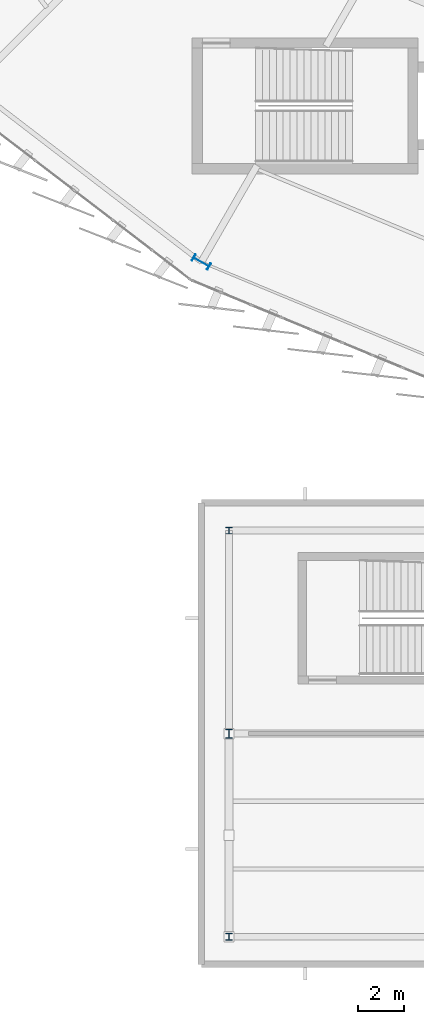
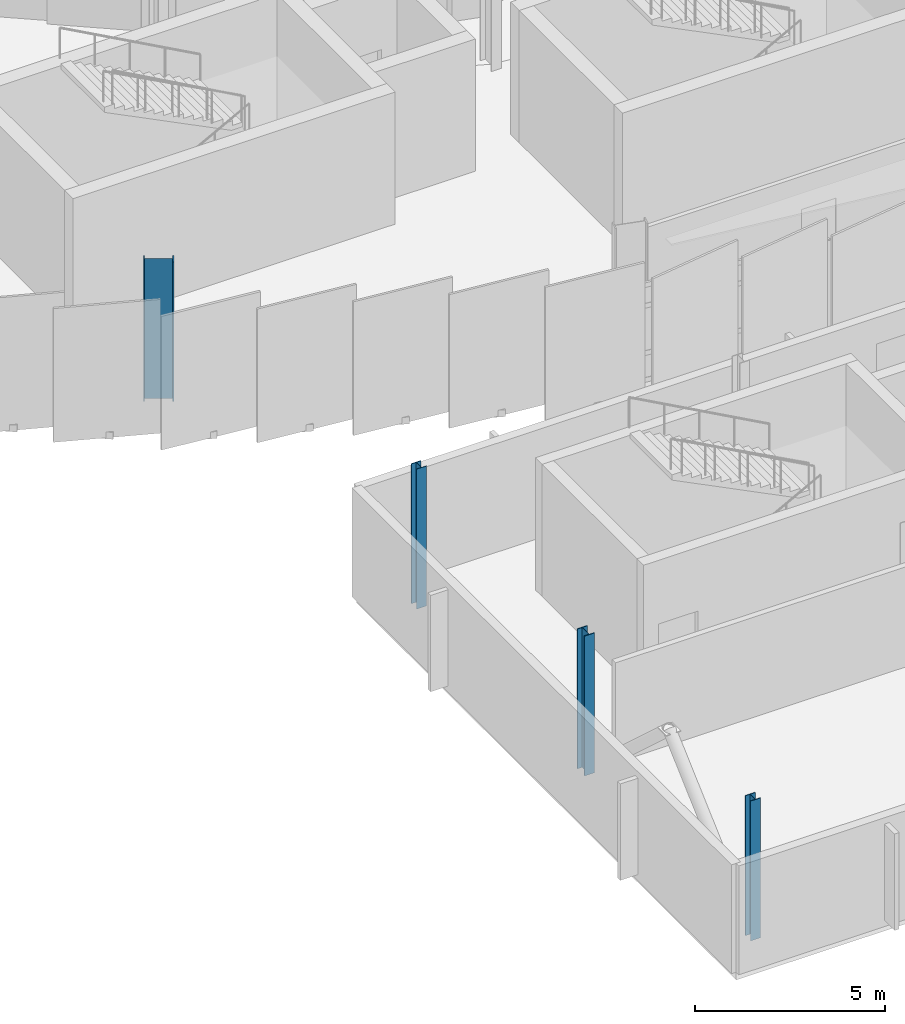
# One storey, part 1 of 120: 4 columns.
"""IFC4 building model written with IfcOpenShell, lengths in metres."""

import ifcopenshell
import ifcopenshell.guid

model = None  # the IFC model being written
_history = None  # IfcOwnerHistory: only IFC2X3 demands one
_inside = {}  # id of a spatial element -> (the spatial element, [elements in it])
_under = {}  # id of a project, library or spatial element -> (it, [spatial elements below it])
_declared = {}  # id of a project -> (the project, [libraries it declares])
_typed = {}  # id of a type object -> (the type object, [elements of that type])
_made_of = {}  # id of a material, layer set ... -> (it, [elements and type objects made of it])


def new_model(schema):
    """Start an empty IFC model of exactly this schema.

    Asked for "IFC4X3", IfcOpenShell would pick the latest addendum, in which some entities
    have other attributes; the version numbers below select the first issue.
    IFC2X3 requires an IfcOwnerHistory on every rooted entity: one is made here for all.
    """
    global model, _history
    if schema == "IFC4X3":
        model = ifcopenshell.file(schema_version=(4, 3, 0, 0))
    else:
        model = ifcopenshell.file(schema=schema)
    _inside.clear()
    _under.clear()
    _declared.clear()
    _typed.clear()
    _made_of.clear()
    _history = None
    if model.schema == "IFC2X3":
        org = make("IfcOrganization", Name="unknown")
        user = make(
            "IfcPersonAndOrganization",
            ThePerson=make("IfcPerson", FamilyName="unknown"),
            TheOrganization=org,
        )
        app = make(
            "IfcApplication",
            ApplicationDeveloper=org,
            Version="unknown",
            ApplicationFullName="unknown",
            ApplicationIdentifier="unknown",
        )
        _history = make(
            "IfcOwnerHistory",
            OwningUser=user,
            OwningApplication=app,
            ChangeAction="ADDED",
            CreationDate=0,
        )
    return model


def make(cls, **values):
    """One entity of the class cls with the attributes given. An attribute that is None is left unset."""
    return model.create_entity(
        cls, **{name: value for name, value in values.items() if value is not None}
    )


def rooted(cls, **values):
    """An entity with a GlobalId (a new one), such as an element, a storey or a relation."""
    return make(cls, GlobalId=ifcopenshell.guid.new(), OwnerHistory=_history, **values)


def si_unit(unit_type, name, prefix=None):
    """IfcSIUnit, for example si_unit("LENGTHUNIT", "METRE", prefix="MILLI")."""
    return make("IfcSIUnit", UnitType=unit_type, Prefix=prefix, Name=name)


def assignment(units):
    """IfcUnitAssignment: the units of a project."""
    return None if units is None else make("IfcUnitAssignment", Units=units)


def point(xyz):
    """IfcCartesianPoint."""
    return None if xyz is None else make("IfcCartesianPoint", Coordinates=xyz)


def direction(xyz):
    """IfcDirection."""
    return None if xyz is None else make("IfcDirection", DirectionRatios=xyz)


def frame(location, z_axis=None, x_axis=None):
    """IfcAxis2Placement3D, a coordinate frame: its origin and axes. An axis left out is left unset."""
    return make(
        "IfcAxis2Placement3D",
        Location=point(location),
        Axis=direction(z_axis),
        RefDirection=direction(x_axis),
    )


def frame_2d(location, x_axis=None):
    """IfcAxis2Placement2D, a coordinate frame in the plane: its origin and x axis."""
    return make(
        "IfcAxis2Placement2D", Location=point(location), RefDirection=direction(x_axis)
    )


def origin():
    """The frame at (0, 0, 0) with its axes left unset."""
    return frame((0.0, 0.0, 0.0))


def origin_2d():
    """The frame at (0, 0) in the plane with its x axis left unset."""
    return frame_2d((0.0, 0.0))


def place(relative_to, where):
    """IfcLocalPlacement: puts the frame where relative to a parent placement (None: the world)."""
    return make(
        "IfcLocalPlacement", PlacementRelTo=relative_to, RelativePlacement=where
    )


def context(
    kind, dimensions, precision=None, world=None, true_north=None, identifier=None
):
    """IfcGeometricRepresentationContext, for example the 3D "Model" context."""
    return make(
        "IfcGeometricRepresentationContext",
        ContextIdentifier=identifier,
        ContextType=kind,
        CoordinateSpaceDimension=dimensions,
        Precision=precision,
        WorldCoordinateSystem=world,
        TrueNorth=true_north,
    )


def subcontext(parent, identifier, kind, view, scale=None):
    """IfcGeometricRepresentationSubContext, for example "Body" below "Model"."""
    return make(
        "IfcGeometricRepresentationSubContext",
        ContextIdentifier=identifier,
        ContextType=kind,
        ParentContext=parent,
        TargetScale=scale,
        TargetView=view,
    )


def project(units=None, contexts=None):
    """IfcProject with its units and contexts."""
    return rooted(
        "IfcProject",
        Name="project",
        RepresentationContexts=contexts,
        UnitsInContext=assignment(units),
    )


def spatial(cls, under=None, at=None, **own):
    """A site, building, storey or space (cls), placed at a placement, below another one or the project."""
    s = rooted(cls, ObjectPlacement=at, **own)
    if under is not None:
        _under.setdefault(under.id(), (under, []))[1].append(s)
    return s


def profile(cls, at=None, kind="AREA", **sizes):
    """A parametric profile (cls). Its sizes go by their IFC names, for example OverallWidth=200.0."""
    return make(cls, ProfileType=kind, Position=at, **sizes)


def i_section(**sizes):
    """IfcIShapeProfileDef."""
    return profile("IfcIShapeProfileDef", **sizes)


def extrude(swept, where, along, depth):
    """IfcExtrudedAreaSolid: the profile swept, set in the frame where, extruded along a direction by depth."""
    return make(
        "IfcExtrudedAreaSolid",
        SweptArea=swept,
        Position=where,
        ExtrudedDirection=direction(along),
        Depth=depth,
    )


def shape(context_of_items, identifier, shape_type, items):
    """IfcShapeRepresentation: the items that make up one representation, for example the "Body"."""
    return make(
        "IfcShapeRepresentation",
        ContextOfItems=context_of_items,
        RepresentationIdentifier=identifier,
        RepresentationType=shape_type,
        Items=items,
    )


def material(Name=None, Category=None):
    """IfcMaterial."""
    return make("IfcMaterial", Name=Name, Category=Category)


def material_profile(
    of_material, cross_section, Name=None, Category=None, Priority=None
):
    """IfcMaterialProfile: a cross section and its material."""
    return make(
        "IfcMaterialProfile",
        Name=Name,
        Material=of_material,
        Profile=cross_section,
        Priority=Priority,
        Category=Category,
    )


def profile_set(profiles, Name=None, composite=None):
    """IfcMaterialProfileSet."""
    return make(
        "IfcMaterialProfileSet",
        Name=Name,
        MaterialProfiles=profiles,
        CompositeProfile=composite,
    )


def made_of(thing, what):
    """Note that an element or type object is made of a material, layer set ...; save() writes the relation."""
    if what is not None:
        _made_of.setdefault(what.id(), (what, []))[1].append(thing)
    return thing


def type_object(cls, material=None, **own):
    """A type object (cls), such as IfcWallType, which elements share."""
    return made_of(rooted(cls, **own), material)


def element(
    cls,
    number,
    at=None,
    inside=None,
    cuts=None,
    type_object=None,
    material=None,
    context=None,
    identifier="Body",
    shape_type=None,
    held_by="IfcProductDefinitionShape",
    body=None,
    shapes=None,
    **own,
):
    """One element of the class cls, such as IfcWall. Its Tag is "e" and its number.

    at: its placement. inside: the storey or other place that contains it. cuts: it is an
    opening in that element (IfcRelVoidsElement). A single representation is given by context,
    identifier, shape_type and body (its items); several are given by shapes. held_by: the class
    of the entity that holds the representations. save() writes the other relations.
    """
    e = rooted(cls, Tag="e%d" % number, ObjectPlacement=at, **own)
    if body is not None:
        shapes = [shape(context, identifier, shape_type, body)]
    if shapes is not None:
        e.Representation = make(held_by, Representations=shapes)
    if inside is not None:
        _inside.setdefault(inside.id(), (inside, []))[1].append(e)
    if cuts is not None:
        rooted(
            "IfcRelVoidsElement", RelatingBuildingElement=cuts, RelatedOpeningElement=e
        )
    if type_object is not None:
        _typed.setdefault(type_object.id(), (type_object, []))[1].append(e)
    return made_of(e, material)


def aggregate(whole, parts):
    """IfcRelAggregates: a whole, such as a stair, and the parts it consists of."""
    return rooted("IfcRelAggregates", RelatingObject=whole, RelatedObjects=parts)


def save(model, path):
    """Write the relations noted so far, then the file.

    IfcRelAggregates (storeys below a building ...), IfcRelContainedInSpatialStructure (elements
    in a storey), IfcRelDefinesByType, IfcRelAssociatesMaterial and IfcRelDeclares: one each for
    every whole, place, type object, material and project.
    """
    for whole, parts in _under.values():
        aggregate(whole, parts)
    for where, things in _inside.values():
        rooted(
            "IfcRelContainedInSpatialStructure",
            RelatedElements=things,
            RelatingStructure=where,
        )
    for kind, things in _typed.values():
        rooted("IfcRelDefinesByType", RelatedObjects=things, RelatingType=kind)
    for what, things in _made_of.values():
        rooted("IfcRelAssociatesMaterial", RelatedObjects=things, RelatingMaterial=what)
    for by, libraries in _declared.values():
        rooted("IfcRelDeclares", RelatingContext=by, RelatedDefinitions=libraries)
    model.write(path)


model = new_model("IFC4")

# Units and contexts
model_context = context("Model", 3, precision=1e-05, world=origin(), true_north=direction((0.0, 1.0)))
body_context = subcontext(model_context, "Body", "Model", "MODEL_VIEW")
ifc_project = project(units=[si_unit("LENGTHUNIT", "METRE"), si_unit("AREAUNIT", "SQUARE_METRE"), si_unit("VOLUMEUNIT", "CUBIC_METRE"), si_unit("PLANEANGLEUNIT", "RADIAN"), si_unit("MASSUNIT", "GRAM", prefix="KILO")], contexts=[model_context])

# Site, building, storey
site_placement = place(None, origin())
site = spatial("IfcSite", under=ifc_project, at=site_placement, CompositionType="ELEMENT")
building_placement = place(site_placement, origin())
building = spatial("IfcBuilding", under=site, at=building_placement, Name="Sohan Crest Arena", CompositionType="ELEMENT")
storey_placement = place(building_placement, frame((0.0, 0.0, 13.5)))
storey = spatial("IfcBuildingStorey", under=building, at=storey_placement, Name="L03", CompositionType="ELEMENT", Elevation=13.5)

# Columns
ifc_material = material(Name="Steel S355", Category="steel")
ifc_material_profile_1 = material_profile(ifc_material, i_section(OverallWidth=0.300048828125, OverallDepth=0.300048828125, WebThickness=0.010986328125, FlangeThickness=0.01904296875, at=origin_2d()), Name="HEB 300")
ifc_profile_set_1 = profile_set([ifc_material_profile_1], Name="Steel S355")
column_type_1 = type_object("IfcColumnType", Name="STR-COL-C17", PredefinedType="COLUMN", material=ifc_profile_set_1)
for number, where, z_axis, x_axis, name in (
    (1, (75.199951171875, 7.199951171875, 0.0), (0.0, 0.0, 1.0), (1.0, 0.0, 0.0), "Structural column COL-V5C-01-1-L03"),
    (2, (75.199951171875, 24.800048828125, 0.0), (0.0, 0.0, 1.0), (1.0, 0.0, 0.0), "Structural column COL-V5C-01-3-L03"),
):
    element("IfcColumn", number, at=place(storey_placement, frame(where, z_axis=z_axis, x_axis=x_axis)), inside=storey, type_object=column_type_1, Name=name, PredefinedType="COLUMN", context=body_context, shape_type="SweptSolid", body=[
        extrude(i_section(OverallWidth=0.300048828125, OverallDepth=0.300048828125, WebThickness=0.010986328125, FlangeThickness=0.01904296875, at=origin_2d()), origin(), (0.0, 0.0, 1.0), 4.5),
    ])
ifc_material_profile_2 = material_profile(ifc_material, i_section(OverallWidth=0.300048828125, OverallDepth=0.39990234375, WebThickness=0.013427734375, FlangeThickness=0.02392578125, at=origin_2d()), Name="HEB 400")
ifc_profile_set_2 = profile_set([ifc_material_profile_2], Name="Steel S355")
column_type_2 = type_object("IfcColumnType", Name="STR-COL-C18", PredefinedType="COLUMN", material=ifc_profile_set_2)
column_1_placement = place(storey_placement, frame((75.199951171875, 16.0, 0.0), z_axis=(0.0, 0.0, 1.0), x_axis=(1.0, 0.0, 0.0)))
element("IfcColumn", 3, at=column_1_placement, inside=storey, type_object=column_type_2, Name="Structural column COL-V5C-01-2-L03", PredefinedType="COLUMN", context=body_context, shape_type="SweptSolid", body=[
    extrude(i_section(OverallWidth=0.300048828125, OverallDepth=0.39990234375, WebThickness=0.013427734375, FlangeThickness=0.02392578125, at=origin_2d()), origin(), (0.0, 0.0, 1.0), 4.5),
])
ifc_material_profile_3 = material_profile(ifc_material, i_section(OverallWidth=0.300048828125, OverallDepth=0.800048828125, WebThickness=0.017578125, FlangeThickness=0.032958984375, at=origin_2d()), Name="HEB 800")
ifc_profile_set_3 = profile_set([ifc_material_profile_3], Name="Steel S355")
column_type_3 = type_object("IfcColumnType", Name="STR-COL-C22", PredefinedType="COLUMN", material=ifc_profile_set_3)
column_2_placement = place(storey_placement, frame((74.0, 36.430908203125, 0.0), z_axis=(0.0, 0.0, 1.0), x_axis=(0.5, 0.866025403784, 0.0)))
element("IfcColumn", 4, at=column_2_placement, inside=storey, type_object=column_type_3, Name="Structural column COL-V2O-11-L03", PredefinedType="COLUMN", context=body_context, shape_type="SweptSolid", body=[
    extrude(i_section(OverallWidth=0.300048828125, OverallDepth=0.800048828125, WebThickness=0.017578125, FlangeThickness=0.032958984375, at=origin_2d()), origin(), (0.0, 0.0, 1.0), 4.5),
])

save(model, "model.ifc")
